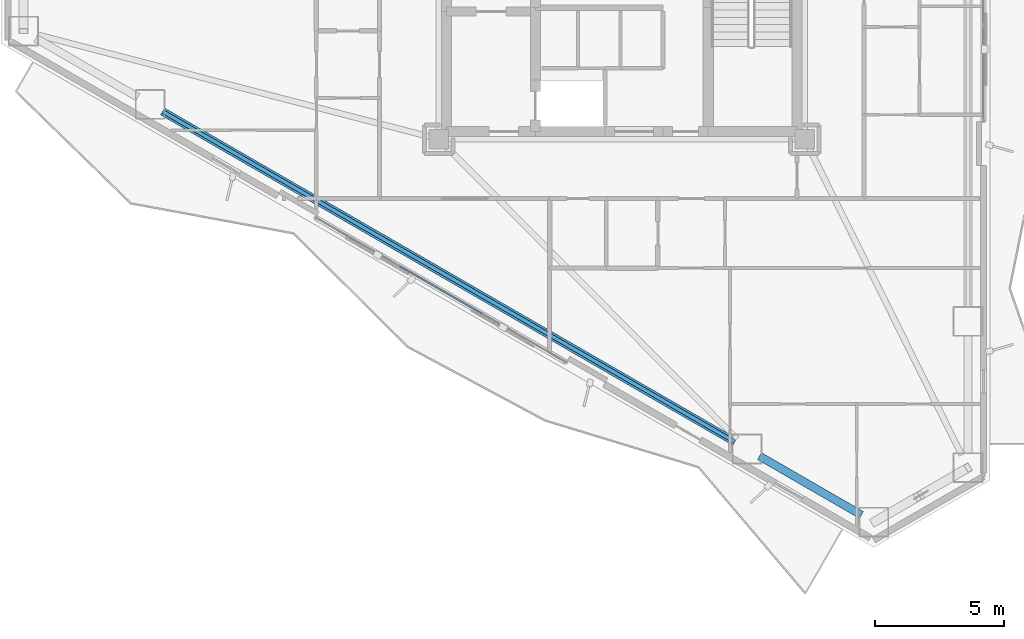
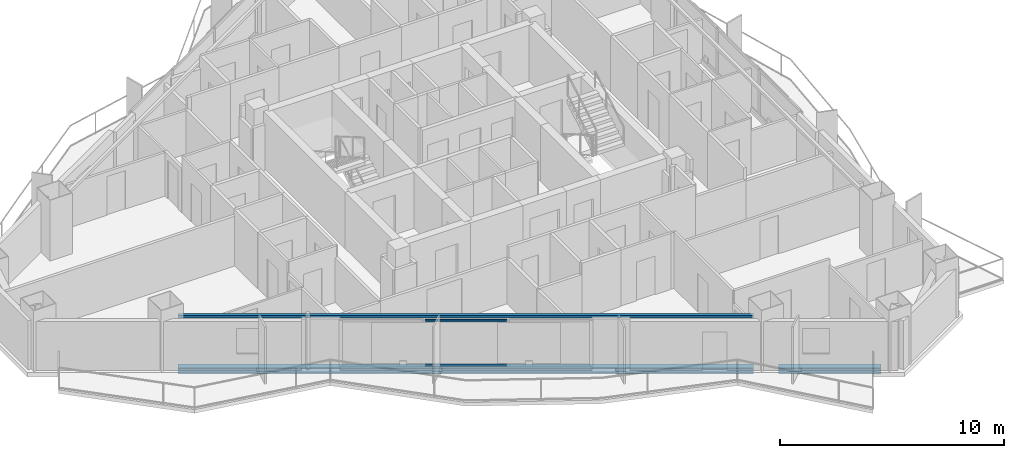
# One storey, part 3 of 23: 3 beams, 2 members, 1 element without a shape of its own.
"""IFC4 building model written with IfcOpenShell, lengths in metres."""

import ifcopenshell
import ifcopenshell.guid

model = None  # the IFC model being written
_history = None  # IfcOwnerHistory: only IFC2X3 demands one
_inside = {}  # id of a spatial element -> (the spatial element, [elements in it])
_under = {}  # id of a project, library or spatial element -> (it, [spatial elements below it])
_declared = {}  # id of a project -> (the project, [libraries it declares])
_typed = {}  # id of a type object -> (the type object, [elements of that type])
_made_of = {}  # id of a material, layer set ... -> (it, [elements and type objects made of it])


def new_model(schema):
    """Start an empty IFC model of exactly this schema.

    Asked for "IFC4X3", IfcOpenShell would pick the latest addendum, in which some entities
    have other attributes; the version numbers below select the first issue.
    IFC2X3 requires an IfcOwnerHistory on every rooted entity: one is made here for all.
    """
    global model, _history
    if schema == "IFC4X3":
        model = ifcopenshell.file(schema_version=(4, 3, 0, 0))
    else:
        model = ifcopenshell.file(schema=schema)
    _inside.clear()
    _under.clear()
    _declared.clear()
    _typed.clear()
    _made_of.clear()
    _history = None
    if model.schema == "IFC2X3":
        org = make("IfcOrganization", Name="unknown")
        user = make(
            "IfcPersonAndOrganization",
            ThePerson=make("IfcPerson", FamilyName="unknown"),
            TheOrganization=org,
        )
        app = make(
            "IfcApplication",
            ApplicationDeveloper=org,
            Version="unknown",
            ApplicationFullName="unknown",
            ApplicationIdentifier="unknown",
        )
        _history = make(
            "IfcOwnerHistory",
            OwningUser=user,
            OwningApplication=app,
            ChangeAction="ADDED",
            CreationDate=0,
        )
    return model


def make(cls, **values):
    """One entity of the class cls with the attributes given. An attribute that is None is left unset."""
    return model.create_entity(
        cls, **{name: value for name, value in values.items() if value is not None}
    )


def rooted(cls, **values):
    """An entity with a GlobalId (a new one), such as an element, a storey or a relation."""
    return make(cls, GlobalId=ifcopenshell.guid.new(), OwnerHistory=_history, **values)


def si_unit(unit_type, name, prefix=None):
    """IfcSIUnit, for example si_unit("LENGTHUNIT", "METRE", prefix="MILLI")."""
    return make("IfcSIUnit", UnitType=unit_type, Prefix=prefix, Name=name)


def assignment(units):
    """IfcUnitAssignment: the units of a project."""
    return None if units is None else make("IfcUnitAssignment", Units=units)


def point(xyz):
    """IfcCartesianPoint."""
    return None if xyz is None else make("IfcCartesianPoint", Coordinates=xyz)


def direction(xyz):
    """IfcDirection."""
    return None if xyz is None else make("IfcDirection", DirectionRatios=xyz)


def frame(location, z_axis=None, x_axis=None):
    """IfcAxis2Placement3D, a coordinate frame: its origin and axes. An axis left out is left unset."""
    return make(
        "IfcAxis2Placement3D",
        Location=point(location),
        Axis=direction(z_axis),
        RefDirection=direction(x_axis),
    )


def frame_2d(location, x_axis=None):
    """IfcAxis2Placement2D, a coordinate frame in the plane: its origin and x axis."""
    return make(
        "IfcAxis2Placement2D", Location=point(location), RefDirection=direction(x_axis)
    )


def origin():
    """The frame at (0, 0, 0) with its axes left unset."""
    return frame((0.0, 0.0, 0.0))


def origin_2d():
    """The frame at (0, 0) in the plane with its x axis left unset."""
    return frame_2d((0.0, 0.0))


def place(relative_to, where):
    """IfcLocalPlacement: puts the frame where relative to a parent placement (None: the world)."""
    return make(
        "IfcLocalPlacement", PlacementRelTo=relative_to, RelativePlacement=where
    )


def context(
    kind, dimensions, precision=None, world=None, true_north=None, identifier=None
):
    """IfcGeometricRepresentationContext, for example the 3D "Model" context."""
    return make(
        "IfcGeometricRepresentationContext",
        ContextIdentifier=identifier,
        ContextType=kind,
        CoordinateSpaceDimension=dimensions,
        Precision=precision,
        WorldCoordinateSystem=world,
        TrueNorth=true_north,
    )


def subcontext(parent, identifier, kind, view, scale=None):
    """IfcGeometricRepresentationSubContext, for example "Body" below "Model"."""
    return make(
        "IfcGeometricRepresentationSubContext",
        ContextIdentifier=identifier,
        ContextType=kind,
        ParentContext=parent,
        TargetScale=scale,
        TargetView=view,
    )


def project(units=None, contexts=None):
    """IfcProject with its units and contexts."""
    return rooted(
        "IfcProject",
        Name="project",
        RepresentationContexts=contexts,
        UnitsInContext=assignment(units),
    )


def spatial(cls, under=None, at=None, **own):
    """A site, building, storey or space (cls), placed at a placement, below another one or the project."""
    s = rooted(cls, ObjectPlacement=at, **own)
    if under is not None:
        _under.setdefault(under.id(), (under, []))[1].append(s)
    return s


def profile(cls, at=None, kind="AREA", **sizes):
    """A parametric profile (cls). Its sizes go by their IFC names, for example OverallWidth=200.0."""
    return make(cls, ProfileType=kind, Position=at, **sizes)


def hollow_rectangle(**sizes):
    """IfcRectangleHollowProfileDef."""
    return profile("IfcRectangleHollowProfileDef", **sizes)


def i_section(**sizes):
    """IfcIShapeProfileDef."""
    return profile("IfcIShapeProfileDef", **sizes)


def extrude(swept, where, along, depth):
    """IfcExtrudedAreaSolid: the profile swept, set in the frame where, extruded along a direction by depth."""
    return make(
        "IfcExtrudedAreaSolid",
        SweptArea=swept,
        Position=where,
        ExtrudedDirection=direction(along),
        Depth=depth,
    )


def shape(context_of_items, identifier, shape_type, items):
    """IfcShapeRepresentation: the items that make up one representation, for example the "Body"."""
    return make(
        "IfcShapeRepresentation",
        ContextOfItems=context_of_items,
        RepresentationIdentifier=identifier,
        RepresentationType=shape_type,
        Items=items,
    )


def material(Name=None, Category=None):
    """IfcMaterial."""
    return make("IfcMaterial", Name=Name, Category=Category)


def layer(
    of_material, thickness, ventilated=None, Name=None, Category=None, Priority=None
):
    """IfcMaterialLayer: one layer of a wall or slab, of a material (None: an air gap)."""
    return make(
        "IfcMaterialLayer",
        Material=of_material,
        LayerThickness=thickness,
        IsVentilated=ventilated,
        Name=Name,
        Category=Category,
        Priority=Priority,
    )


def layer_set(layers, Name=None):
    """IfcMaterialLayerSet."""
    return make("IfcMaterialLayerSet", MaterialLayers=layers, LayerSetName=Name)


def material_profile(
    of_material, cross_section, Name=None, Category=None, Priority=None
):
    """IfcMaterialProfile: a cross section and its material."""
    return make(
        "IfcMaterialProfile",
        Name=Name,
        Material=of_material,
        Profile=cross_section,
        Priority=Priority,
        Category=Category,
    )


def profile_set(profiles, Name=None, composite=None):
    """IfcMaterialProfileSet."""
    return make(
        "IfcMaterialProfileSet",
        Name=Name,
        MaterialProfiles=profiles,
        CompositeProfile=composite,
    )


def made_of(thing, what):
    """Note that an element or type object is made of a material, layer set ...; save() writes the relation."""
    if what is not None:
        _made_of.setdefault(what.id(), (what, []))[1].append(thing)
    return thing


def type_object(cls, material=None, **own):
    """A type object (cls), such as IfcWallType, which elements share."""
    return made_of(rooted(cls, **own), material)


def element(
    cls,
    number,
    at=None,
    inside=None,
    cuts=None,
    type_object=None,
    material=None,
    context=None,
    identifier="Body",
    shape_type=None,
    held_by="IfcProductDefinitionShape",
    body=None,
    shapes=None,
    **own,
):
    """One element of the class cls, such as IfcWall. Its Tag is "e" and its number.

    at: its placement. inside: the storey or other place that contains it. cuts: it is an
    opening in that element (IfcRelVoidsElement). A single representation is given by context,
    identifier, shape_type and body (its items); several are given by shapes. held_by: the class
    of the entity that holds the representations. save() writes the other relations.
    """
    e = rooted(cls, Tag="e%d" % number, ObjectPlacement=at, **own)
    if body is not None:
        shapes = [shape(context, identifier, shape_type, body)]
    if shapes is not None:
        e.Representation = make(held_by, Representations=shapes)
    if inside is not None:
        _inside.setdefault(inside.id(), (inside, []))[1].append(e)
    if cuts is not None:
        rooted(
            "IfcRelVoidsElement", RelatingBuildingElement=cuts, RelatedOpeningElement=e
        )
    if type_object is not None:
        _typed.setdefault(type_object.id(), (type_object, []))[1].append(e)
    return made_of(e, material)


def aggregate(whole, parts):
    """IfcRelAggregates: a whole, such as a stair, and the parts it consists of."""
    return rooted("IfcRelAggregates", RelatingObject=whole, RelatedObjects=parts)


def save(model, path):
    """Write the relations noted so far, then the file.

    IfcRelAggregates (storeys below a building ...), IfcRelContainedInSpatialStructure (elements
    in a storey), IfcRelDefinesByType, IfcRelAssociatesMaterial and IfcRelDeclares: one each for
    every whole, place, type object, material and project.
    """
    for whole, parts in _under.values():
        aggregate(whole, parts)
    for where, things in _inside.values():
        rooted(
            "IfcRelContainedInSpatialStructure",
            RelatedElements=things,
            RelatingStructure=where,
        )
    for kind, things in _typed.values():
        rooted("IfcRelDefinesByType", RelatedObjects=things, RelatingType=kind)
    for what, things in _made_of.values():
        rooted("IfcRelAssociatesMaterial", RelatedObjects=things, RelatingMaterial=what)
    for by, libraries in _declared.values():
        rooted("IfcRelDeclares", RelatingContext=by, RelatedDefinitions=libraries)
    model.write(path)


model = new_model("IFC4")

# Units and contexts
model_context = context("Model", 3, precision=1e-05, world=origin(), true_north=direction((0.0, 1.0)))
body_context = subcontext(model_context, "Body", "Model", "MODEL_VIEW")
ifc_project = project(units=[si_unit("LENGTHUNIT", "METRE"), si_unit("AREAUNIT", "SQUARE_METRE"), si_unit("VOLUMEUNIT", "CUBIC_METRE"), si_unit("PLANEANGLEUNIT", "RADIAN"), si_unit("MASSUNIT", "GRAM", prefix="KILO")], contexts=[model_context])

# Site, building, storey
site_placement = place(None, origin())
site = spatial("IfcSite", under=ifc_project, at=site_placement, CompositionType="ELEMENT")
building_placement = place(site_placement, origin())
building = spatial("IfcBuilding", under=site, at=building_placement, Name="Mersakhor Tower and Convention Hall", CompositionType="ELEMENT")
storey_placement = place(building_placement, frame((0.0, 0.0, 106.5)))
storey = spatial("IfcBuildingStorey", under=building, at=storey_placement, Name="L29", CompositionType="ELEMENT", Elevation=106.5)

# Beams
ifc_material_1 = material(Name="Steel S355", Category="steel")
ifc_material_profile_1 = material_profile(ifc_material_1, hollow_rectangle(XDim=0.14990234375, YDim=0.14990234375, WallThickness=0.010009765625, at=origin_2d()), Name="SHS 150x150x10")
ifc_profile_set_1 = profile_set([ifc_material_profile_1], Name="Steel S355")
beam_type_1 = type_object("IfcBeamType", Name="BM-GRT-SHS150", PredefinedType="USERDEFINED", material=ifc_profile_set_1)
beam_1_placement = place(storey_placement, frame((33.38232421875, 8.706787109375, 2.47998046875), z_axis=(-0.866022538643, 0.500004962538, 0.0), x_axis=(-0.500004962538, -0.866022538643, 0.0)))
element("IfcBeam", 1, at=beam_1_placement, inside=storey, type_object=beam_type_1, Name="L29 Facade Support Girt GRT-F3", ObjectType="GIRT", PredefinedType="USERDEFINED", context=body_context, shape_type="SweptSolid", body=[
    extrude(hollow_rectangle(XDim=0.14990234375, YDim=0.14990234375, WallThickness=0.010009765625, at=origin_2d()), origin(), (0.0, 0.0, 1.0), 25.633544921875),
])
ifc_material_2 = material(Name="Steel S355", Category="steel")
ifc_material_profile_2 = material_profile(ifc_material_2, i_section(OverallWidth=0.30908203125, OverallDepth=0.320556640625, WebThickness=0.013916015625, FlangeThickness=0.021728515625, at=origin_2d()), Name="UC 305x305x137")
ifc_profile_set_2 = profile_set([ifc_material_profile_2], Name="Steel S355")
beam_type_2 = type_object("IfcBeamType", Name="BM-SPD-UC305", PredefinedType="SPANDREL", material=ifc_profile_set_2)
beam_2_placement = place(storey_placement, frame((38.298095703125, 5.868896484375, -0.410400390625), z_axis=(-0.866046694585, 0.499963121439, 0.0), x_axis=(-0.499963121439, -0.866046694585, 0.0)))
element("IfcBeam", 2, at=beam_2_placement, inside=storey, type_object=beam_type_2, Name="L29 Perimeter Spandrel Beam SPB-09", PredefinedType="SPANDREL", context=body_context, shape_type="SweptSolid", body=[
    extrude(i_section(OverallWidth=0.30908203125, OverallDepth=0.320556640625, WebThickness=0.013916015625, FlangeThickness=0.021728515625, at=origin_2d()), origin(), (0.0, 0.0, 1.0), 4.566162109375),
])
beam_3_placement = place(storey_placement, frame((33.38232421875, 8.706787109375, -0.410400390625), z_axis=(-0.866022538643, 0.500004962538, 0.0), x_axis=(-0.500004962538, -0.866022538643, 0.0)))
element("IfcBeam", 3, at=beam_3_placement, inside=storey, type_object=beam_type_2, Name="L29 Perimeter Spandrel Beam SPB-10", PredefinedType="SPANDREL", context=body_context, shape_type="SweptSolid", body=[
    extrude(i_section(OverallWidth=0.30908203125, OverallDepth=0.320556640625, WebThickness=0.013916015625, FlangeThickness=0.021728515625, at=origin_2d()), origin(), (0.0, 0.0, 1.0), 25.633544921875),
])

# Curtain wall, members
ifc_material_3 = material(Name="Dark solar low-E aluminium curtain wall", Category="aluminium")
ifc_layer = layer(ifc_material_3, 0.159912109375)
ifc_layer_set = layer_set([ifc_layer], Name="Dark solar low-E aluminium curtain wall")
curtain_wall_type = type_object("IfcCurtainWallType", Name="CW-SYS-01", PredefinedType="USERDEFINED", material=ifc_layer_set)
curtain_wall_placement = place(storey_placement, origin())
curtain_wall = element("IfcCurtainWall", 4, at=curtain_wall_placement, inside=storey, type_object=curtain_wall_type, Name="L29 Dark-Glass Curtain Wall F3-B2", ObjectType="CURTAIN WALL", PredefinedType="USERDEFINED")
ifc_material_4 = material(Name="Anodised aluminium EN AW-6063 T6", Category="aluminium")
ifc_material_profile_3 = material_profile(ifc_material_4, hollow_rectangle(XDim=0.06005859375, YDim=0.1201171875, WallThickness=0.0048828125, at=origin_2d()), Name="RHS 120x60x5")
ifc_profile_set_3 = profile_set([ifc_material_profile_3], Name="Anodised aluminium EN AW-6063 T6")
member_type = type_object("IfcMemberType", Name="CWT-120x60", PredefinedType="USERDEFINED", material=ifc_profile_set_3)
member_1_placement = place(storey_placement, frame((23.571044921875, 13.6787109375, 0.22998046875), z_axis=(-0.866039286129, 0.499975954304, 0.0), x_axis=(-0.499975954304, -0.866039286129, 0.0)))
member_1 = element("IfcMember", 5, at=member_1_placement, type_object=member_type, Name="CW-01 transom 2.1", ObjectType="TRANSOM", PredefinedType="USERDEFINED", context=body_context, shape_type="SweptSolid", body=[
    extrude(hollow_rectangle(XDim=0.06005859375, YDim=0.1201171875, WallThickness=0.0048828125, at=origin_2d()), origin(), (0.0, 0.0, 1.0), 3.668212890625),
])
member_2_placement = place(storey_placement, frame((23.571044921875, 13.6787109375, 2.639892578125), z_axis=(-0.866039286129, 0.499975954304, 0.0), x_axis=(-0.499975954304, -0.866039286129, 0.0)))
member_2 = element("IfcMember", 6, at=member_2_placement, type_object=member_type, Name="CW-01 transom 2.2", ObjectType="TRANSOM", PredefinedType="USERDEFINED", context=body_context, shape_type="SweptSolid", body=[
    extrude(hollow_rectangle(XDim=0.06005859375, YDim=0.1201171875, WallThickness=0.0048828125, at=origin_2d()), origin(), (0.0, 0.0, 1.0), 3.668212890625),
])
aggregate(curtain_wall, [member_1, member_2])

save(model, "model.ifc")
